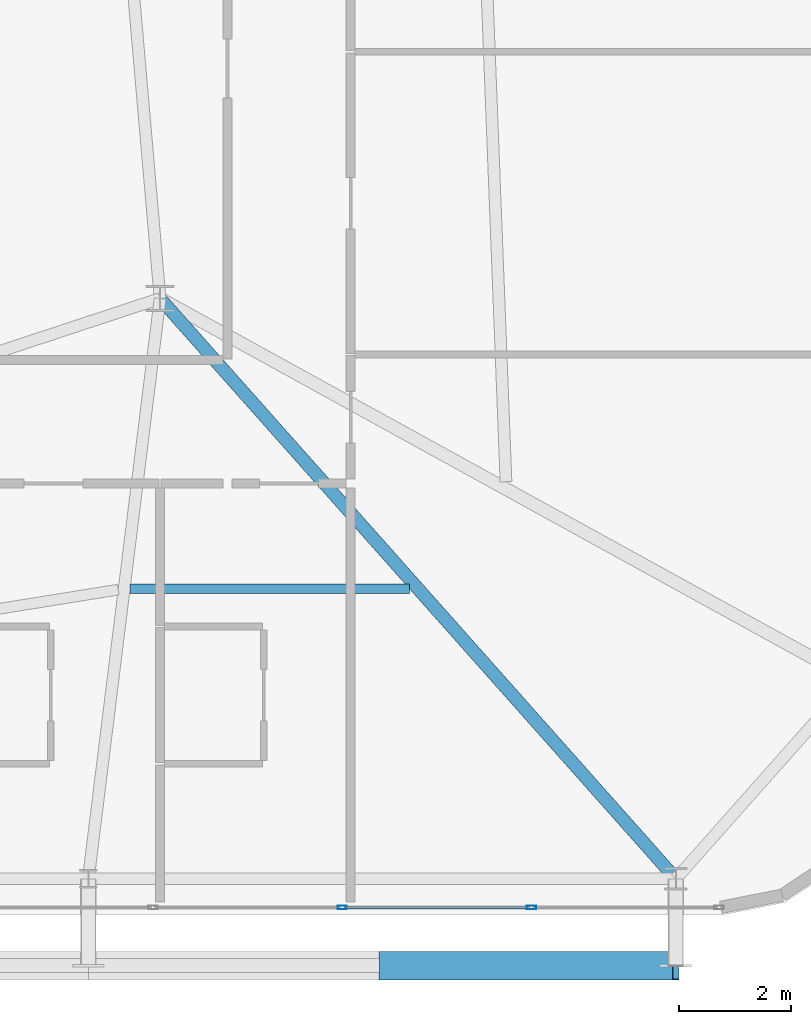
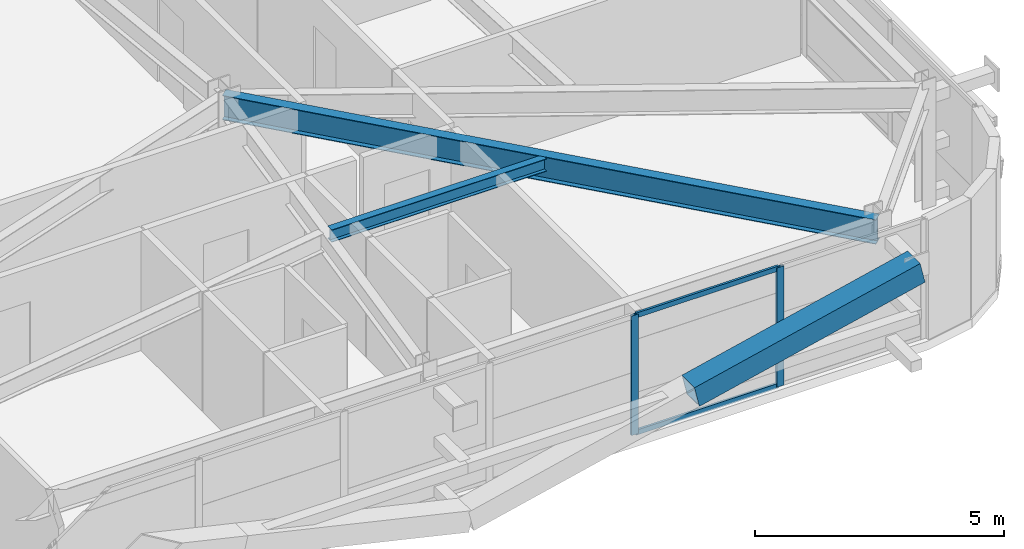
# One storey, part 23 of 58: 5 members, 2 beams, 1 element without a shape of its own.
"""IFC4 building model written with IfcOpenShell, lengths in metres."""

from ifc_helpers import new_model, si_unit, direction, frame, origin, origin_2d, place, context, subcontext, project, spatial, hollow_rectangle, i_section, extrude, source, transform, mapped, material, layer, layer_set, material_profile, profile_set, type_object, element, aggregate, save


model = new_model("IFC4")

# Units and contexts
model_context = context("Model", 3, precision=1e-05, world=origin(), true_north=direction((0.0, 1.0)))
body_context = subcontext(model_context, "Body", "Model", "MODEL_VIEW")
ifc_project = project(units=[si_unit("LENGTHUNIT", "METRE"), si_unit("AREAUNIT", "SQUARE_METRE"), si_unit("VOLUMEUNIT", "CUBIC_METRE"), si_unit("PLANEANGLEUNIT", "RADIAN"), si_unit("MASSUNIT", "GRAM", prefix="KILO")], contexts=[model_context])

# Site, building, storey
site_placement = place(None, origin())
site = spatial("IfcSite", under=ifc_project, at=site_placement, CompositionType="ELEMENT")
building_placement = place(site_placement, origin())
building = spatial("IfcBuilding", under=site, at=building_placement, Name="Taldren Reach Tower", CompositionType="ELEMENT")
storey_placement = place(building_placement, frame((0.0, 0.0, 54.60009765625)))
storey = spatial("IfcBuildingStorey", under=building, at=storey_placement, Name="L16", CompositionType="ELEMENT", Elevation=54.60009765625)

# Beams
ifc_material_1 = material(Name="Steel Gr 350 (350PLUS)", Category="steel")
ifc_material_profile_1 = material_profile(ifc_material_1, i_section(OverallWidth=0.22802734375, OverallDepth=0.60205078125, WebThickness=0.010498046875, FlangeThickness=0.014892578125, at=origin_2d()), Name="610UB101")
ifc_profile_set_1 = profile_set([ifc_material_profile_1], Name="Steel Gr 350 (350PLUS)")
beam_type_1 = type_object("IfcBeamType", Name="BM-UB610B", PredefinedType="BEAM", material=ifc_profile_set_1)
shared_shape_1 = source(origin(), body_context, "Body", "SweptSolid", [
    extrude(i_section(OverallWidth=0.22802734375, OverallDepth=0.60205078125, WebThickness=0.010498046875, FlangeThickness=0.014892578125, at=origin_2d()), origin(), (0.0, 0.0, 1.0), 13.847900390625),
])
beam_1_placement = place(storey_placement, frame((52.0, 12.5, 2.62890625), z_axis=(0.664358367375, -0.747414182164, 0.0), x_axis=(0.747414182164, 0.664358367375, 0.0)))
element("IfcBeam", 1, at=beam_1_placement, inside=storey, type_object=beam_type_1, Name="Primary floor girder B1-S6 L16", PredefinedType="BEAM", context=body_context, shape_type="MappedRepresentation", body=[
    mapped(shared_shape_1, transform((0.0, 0.0, 0.0), scale=1.0)),
])
ifc_material_2 = material(Name="Steel Gr 300 (300PLUS, 300 MPa)", Category="steel")
ifc_material_profile_2 = material_profile(ifc_material_2, i_section(OverallWidth=0.166015625, OverallDepth=0.306884765625, WebThickness=0.006591796875, FlangeThickness=0.01171875, at=origin_2d()), Name="310UB46.2")
ifc_profile_set_2 = profile_set([ifc_material_profile_2], Name="Steel Gr 300 (300PLUS, 300 MPa)")
beam_type_2 = type_object("IfcBeamType", Name="JS-UB310", PredefinedType="JOIST", material=ifc_profile_set_2)
shared_shape_2 = source(origin(), body_context, "Body", "SweptSolid", [
    extrude(i_section(OverallWidth=0.166015625, OverallDepth=0.306884765625, WebThickness=0.006591796875, FlangeThickness=0.01171875, at=origin_2d()), origin(), (0.0, 0.0, 1.0), 4.982177734375),
])
beam_2_placement = place(storey_placement, frame((51.46533203125, 7.324951171875, 2.7763671875), z_axis=(1.0, 0.0, 0.0), x_axis=(0.0, 1.0, 0.0)))
element("IfcBeam", 2, at=beam_2_placement, inside=storey, type_object=beam_type_2, Name="Secondary floor joist B1 J5 L16", PredefinedType="JOIST", context=body_context, shape_type="MappedRepresentation", body=[
    mapped(shared_shape_2, transform((0.0, 0.0, 0.0), scale=1.0)),
])

# Member
ifc_material_3 = material(Name="Steel Gr 450 (C450L0)", Category="steel")
ifc_material_profile_3 = material_profile(ifc_material_3, hollow_rectangle(XDim=0.510009765625, YDim=0.510009765625, WallThickness=0.02001953125, at=origin_2d()), Name="510x510x20.0SHS")
ifc_profile_set_3 = profile_set([ifc_material_profile_3], Name="Steel Gr 450 (C450L0)")
member_type_1 = type_object("IfcMemberType", Name="MB-EXO508", PredefinedType="BRACE", material=ifc_profile_set_3)
shared_shape_3 = source(origin(), body_context, "Body", "SweptSolid", [
    extrude(hollow_rectangle(XDim=0.510009765625, YDim=0.510009765625, WallThickness=0.02001953125, at=origin_2d()), origin(), (0.0, 0.0, 1.0), 5.37890625),
])
member_1_placement = place(storey_placement, frame((55.9599609375, 0.60009765625, 1.434814453125), z_axis=(0.97415197996, 0.0, 0.225893603143), x_axis=(0.0, 1.0, 0.0)))
element("IfcMember", 3, at=member_1_placement, inside=storey, type_object=member_type_1, Name="Exoskeleton Diagrid Brace B1-S5 L16", PredefinedType="BRACE", context=body_context, shape_type="MappedRepresentation", body=[
    mapped(shared_shape_3, transform((0.0, 0.0, 0.0), scale=1.0)),
])

# Curtain wall, members
ifc_material_4 = material(Name="Aluminium and Low-E Glass Unitised System", Category="aluminium")
ifc_layer = layer(ifc_material_4, 0.159912109375)
ifc_layer_set = layer_set([ifc_layer], Name="Aluminium and Low-E Glass Unitised System")
curtain_wall_type = type_object("IfcCurtainWallType", Name="CW-SYS-2", PredefinedType="NOTDEFINED", material=ifc_layer_set)
curtain_wall_placement = place(storey_placement, origin())
curtain_wall = element("IfcCurtainWall", 4, at=curtain_wall_placement, inside=storey, type_object=curtain_wall_type, Name="Unitised curtain wall CW-L16-S", PredefinedType="NOTDEFINED")
ifc_material_5 = material(Name="Anodised Aluminium 6063-T6", Category="aluminium")
ifc_material_profile_4 = material_profile(ifc_material_5, hollow_rectangle(XDim=0.06494140625, YDim=0.1650390625, WallThickness=0.00390625, at=origin_2d()), Name="ALU-165x65x4RHS")
ifc_profile_set_4 = profile_set([ifc_material_profile_4], Name="Anodised Aluminium 6063-T6")
member_type_2 = type_object("IfcMemberType", Name="CW-MUL-165", PredefinedType="MULLION", material=ifc_profile_set_4)
shared_shape_4 = source(origin(), body_context, "Body", "SweptSolid", [
    extrude(hollow_rectangle(XDim=0.06494140625, YDim=0.1650390625, WallThickness=0.00390625, at=origin_2d()), origin(), (0.0, 0.0, 1.0), 2.929931640625),
])
member_2_placement = place(storey_placement, frame((55.25, 1.639892578125, 0.0), z_axis=(0.0, 0.0, 1.0), x_axis=(0.0, 1.0, 0.0)))
member_2 = element("IfcMember", 5, at=member_2_placement, type_object=member_type_2, Name="CW-2 mullion 15", PredefinedType="MULLION", context=body_context, shape_type="MappedRepresentation", body=[
    mapped(shared_shape_4, transform((0.0, 0.0, 0.0), scale=1.0)),
])
member_3_placement = place(storey_placement, frame((58.625, 1.639892578125, 0.0), z_axis=(0.0, 0.0, 1.0), x_axis=(0.0, 1.0, 0.0)))
member_3 = element("IfcMember", 6, at=member_3_placement, type_object=member_type_2, Name="CW-2 mullion 16", PredefinedType="MULLION", context=body_context, shape_type="MappedRepresentation", body=[
    mapped(shared_shape_4, transform((0.0, 0.0, 0.0), scale=1.0)),
])
ifc_material_profile_5 = material_profile(ifc_material_5, hollow_rectangle(XDim=0.054931640625, YDim=0.1201171875, WallThickness=0.0029296875, at=origin_2d()), Name="ALU-120x55x3RHS")
ifc_profile_set_5 = profile_set([ifc_material_profile_5], Name="Anodised Aluminium 6063-T6")
member_type_3 = type_object("IfcMemberType", Name="CW-TRN-135", PredefinedType="USERDEFINED", material=ifc_profile_set_5)
shared_shape_5 = source(origin(), body_context, "Body", "SweptSolid", [
    extrude(hollow_rectangle(XDim=0.054931640625, YDim=0.1201171875, WallThickness=0.0029296875, at=origin_2d()), origin(), (0.0, 0.0, 1.0), 3.31005859375),
])
member_4_placement = place(storey_placement, frame((55.282470703125, 1.639892578125, 0.02734375), z_axis=(1.0, 0.0, 0.0), x_axis=(0.0, 1.0, 0.0)))
member_4 = element("IfcMember", 7, at=member_4_placement, type_object=member_type_3, Name="CW-2 transom 15.1", ObjectType="TRANSOM", PredefinedType="USERDEFINED", context=body_context, shape_type="MappedRepresentation", body=[
    mapped(shared_shape_5, transform((0.0, 0.0, 0.0), scale=1.0)),
])
member_5_placement = place(storey_placement, frame((55.282470703125, 1.639892578125, 2.90234375), z_axis=(1.0, 0.0, 0.0), x_axis=(0.0, 1.0, 0.0)))
member_5 = element("IfcMember", 8, at=member_5_placement, type_object=member_type_3, Name="CW-2 transom 15.2", ObjectType="TRANSOM", PredefinedType="USERDEFINED", context=body_context, shape_type="MappedRepresentation", body=[
    mapped(shared_shape_5, transform((0.0, 0.0, 0.0), scale=1.0)),
])
aggregate(curtain_wall, [member_2, member_3, member_4, member_5])

save(model, "model.ifc")
